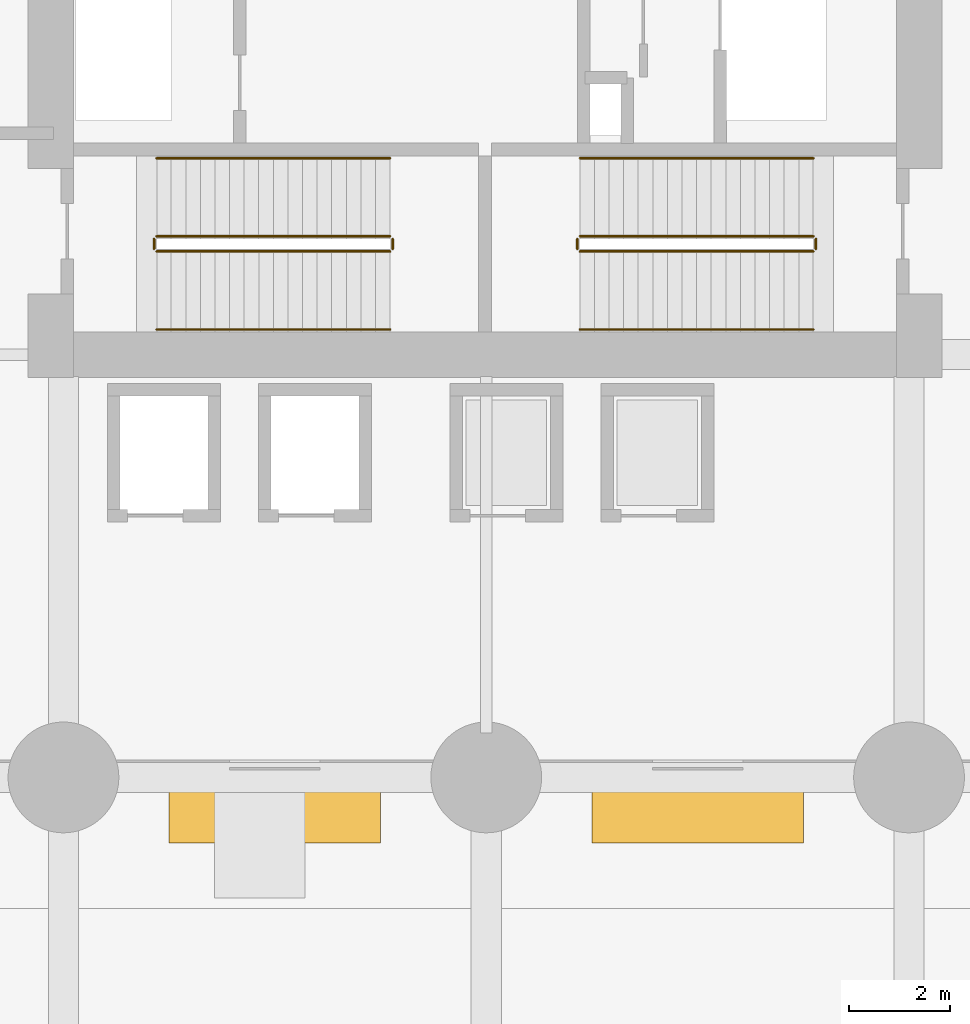
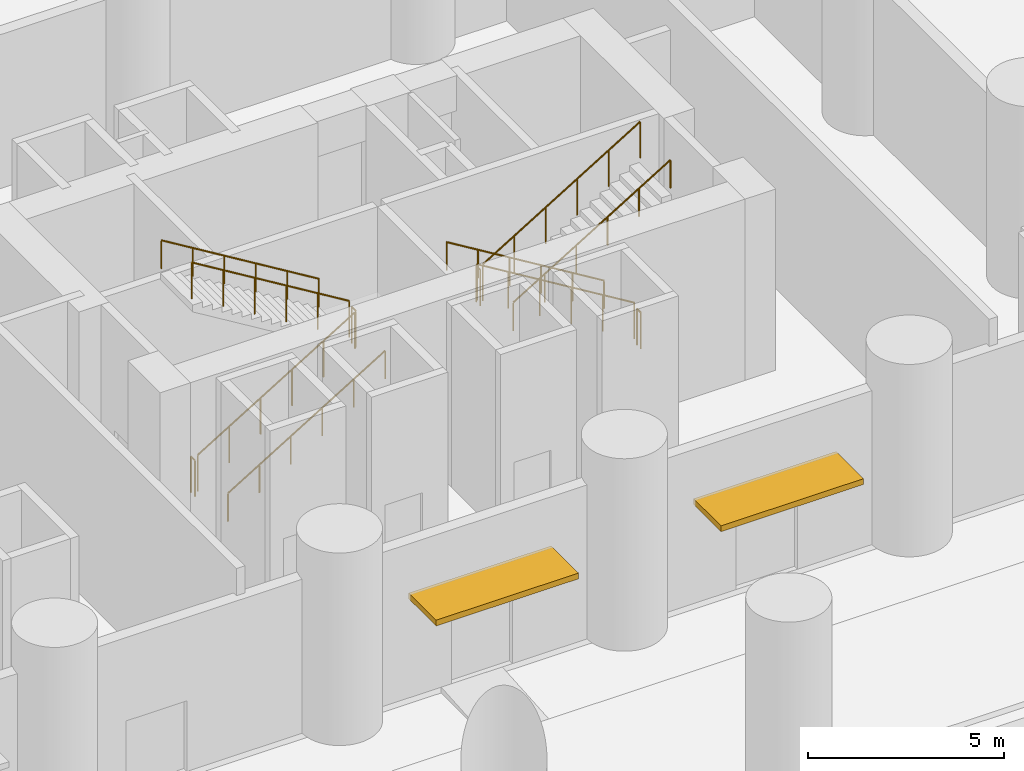
# One storey, part 11 of 13: 12 railings, 2 shading devices.
"""IFC4 building model written with IfcOpenShell, lengths in metres."""

import ifcopenshell
import ifcopenshell.guid

model = None  # the IFC model being written
_history = None  # IfcOwnerHistory: only IFC2X3 demands one
_inside = {}  # id of a spatial element -> (the spatial element, [elements in it])
_under = {}  # id of a project, library or spatial element -> (it, [spatial elements below it])
_declared = {}  # id of a project -> (the project, [libraries it declares])
_typed = {}  # id of a type object -> (the type object, [elements of that type])
_made_of = {}  # id of a material, layer set ... -> (it, [elements and type objects made of it])


def new_model(schema):
    """Start an empty IFC model of exactly this schema.

    Asked for "IFC4X3", IfcOpenShell would pick the latest addendum, in which some entities
    have other attributes; the version numbers below select the first issue.
    IFC2X3 requires an IfcOwnerHistory on every rooted entity: one is made here for all.
    """
    global model, _history
    if schema == "IFC4X3":
        model = ifcopenshell.file(schema_version=(4, 3, 0, 0))
    else:
        model = ifcopenshell.file(schema=schema)
    _inside.clear()
    _under.clear()
    _declared.clear()
    _typed.clear()
    _made_of.clear()
    _history = None
    if model.schema == "IFC2X3":
        org = make("IfcOrganization", Name="unknown")
        user = make(
            "IfcPersonAndOrganization",
            ThePerson=make("IfcPerson", FamilyName="unknown"),
            TheOrganization=org,
        )
        app = make(
            "IfcApplication",
            ApplicationDeveloper=org,
            Version="unknown",
            ApplicationFullName="unknown",
            ApplicationIdentifier="unknown",
        )
        _history = make(
            "IfcOwnerHistory",
            OwningUser=user,
            OwningApplication=app,
            ChangeAction="ADDED",
            CreationDate=0,
        )
    return model


def make(cls, **values):
    """One entity of the class cls with the attributes given. An attribute that is None is left unset."""
    return model.create_entity(
        cls, **{name: value for name, value in values.items() if value is not None}
    )


def rooted(cls, **values):
    """An entity with a GlobalId (a new one), such as an element, a storey or a relation."""
    return make(cls, GlobalId=ifcopenshell.guid.new(), OwnerHistory=_history, **values)


def si_unit(unit_type, name, prefix=None):
    """IfcSIUnit, for example si_unit("LENGTHUNIT", "METRE", prefix="MILLI")."""
    return make("IfcSIUnit", UnitType=unit_type, Prefix=prefix, Name=name)


def assignment(units):
    """IfcUnitAssignment: the units of a project."""
    return None if units is None else make("IfcUnitAssignment", Units=units)


def point(xyz):
    """IfcCartesianPoint."""
    return None if xyz is None else make("IfcCartesianPoint", Coordinates=xyz)


def direction(xyz):
    """IfcDirection."""
    return None if xyz is None else make("IfcDirection", DirectionRatios=xyz)


def frame(location, z_axis=None, x_axis=None):
    """IfcAxis2Placement3D, a coordinate frame: its origin and axes. An axis left out is left unset."""
    return make(
        "IfcAxis2Placement3D",
        Location=point(location),
        Axis=direction(z_axis),
        RefDirection=direction(x_axis),
    )


def frame_2d(location, x_axis=None):
    """IfcAxis2Placement2D, a coordinate frame in the plane: its origin and x axis."""
    return make(
        "IfcAxis2Placement2D", Location=point(location), RefDirection=direction(x_axis)
    )


def origin():
    """The frame at (0, 0, 0) with its axes left unset."""
    return frame((0.0, 0.0, 0.0))


def origin_2d():
    """The frame at (0, 0) in the plane with its x axis left unset."""
    return frame_2d((0.0, 0.0))


def place(relative_to, where):
    """IfcLocalPlacement: puts the frame where relative to a parent placement (None: the world)."""
    return make(
        "IfcLocalPlacement", PlacementRelTo=relative_to, RelativePlacement=where
    )


def context(
    kind, dimensions, precision=None, world=None, true_north=None, identifier=None
):
    """IfcGeometricRepresentationContext, for example the 3D "Model" context."""
    return make(
        "IfcGeometricRepresentationContext",
        ContextIdentifier=identifier,
        ContextType=kind,
        CoordinateSpaceDimension=dimensions,
        Precision=precision,
        WorldCoordinateSystem=world,
        TrueNorth=true_north,
    )


def subcontext(parent, identifier, kind, view, scale=None):
    """IfcGeometricRepresentationSubContext, for example "Body" below "Model"."""
    return make(
        "IfcGeometricRepresentationSubContext",
        ContextIdentifier=identifier,
        ContextType=kind,
        ParentContext=parent,
        TargetScale=scale,
        TargetView=view,
    )


def project(units=None, contexts=None):
    """IfcProject with its units and contexts."""
    return rooted(
        "IfcProject",
        Name="project",
        RepresentationContexts=contexts,
        UnitsInContext=assignment(units),
    )


def spatial(cls, under=None, at=None, **own):
    """A site, building, storey or space (cls), placed at a placement, below another one or the project."""
    s = rooted(cls, ObjectPlacement=at, **own)
    if under is not None:
        _under.setdefault(under.id(), (under, []))[1].append(s)
    return s


def profile(cls, at=None, kind="AREA", **sizes):
    """A parametric profile (cls). Its sizes go by their IFC names, for example OverallWidth=200.0."""
    return make(cls, ProfileType=kind, Position=at, **sizes)


def rectangle(**sizes):
    """IfcRectangleProfileDef."""
    return profile("IfcRectangleProfileDef", **sizes)


def circle(**sizes):
    """IfcCircleProfileDef."""
    return profile("IfcCircleProfileDef", **sizes)


def extrude(swept, where, along, depth):
    """IfcExtrudedAreaSolid: the profile swept, set in the frame where, extruded along a direction by depth."""
    return make(
        "IfcExtrudedAreaSolid",
        SweptArea=swept,
        Position=where,
        ExtrudedDirection=direction(along),
        Depth=depth,
    )


def shape(context_of_items, identifier, shape_type, items):
    """IfcShapeRepresentation: the items that make up one representation, for example the "Body"."""
    return make(
        "IfcShapeRepresentation",
        ContextOfItems=context_of_items,
        RepresentationIdentifier=identifier,
        RepresentationType=shape_type,
        Items=items,
    )


def material(Name=None, Category=None):
    """IfcMaterial."""
    return make("IfcMaterial", Name=Name, Category=Category)


def layer(
    of_material, thickness, ventilated=None, Name=None, Category=None, Priority=None
):
    """IfcMaterialLayer: one layer of a wall or slab, of a material (None: an air gap)."""
    return make(
        "IfcMaterialLayer",
        Material=of_material,
        LayerThickness=thickness,
        IsVentilated=ventilated,
        Name=Name,
        Category=Category,
        Priority=Priority,
    )


def layer_set(layers, Name=None):
    """IfcMaterialLayerSet."""
    return make("IfcMaterialLayerSet", MaterialLayers=layers, LayerSetName=Name)


def made_of(thing, what):
    """Note that an element or type object is made of a material, layer set ...; save() writes the relation."""
    if what is not None:
        _made_of.setdefault(what.id(), (what, []))[1].append(thing)
    return thing


def type_object(cls, material=None, **own):
    """A type object (cls), such as IfcWallType, which elements share."""
    return made_of(rooted(cls, **own), material)


def element(
    cls,
    number,
    at=None,
    inside=None,
    cuts=None,
    type_object=None,
    material=None,
    context=None,
    identifier="Body",
    shape_type=None,
    held_by="IfcProductDefinitionShape",
    body=None,
    shapes=None,
    **own,
):
    """One element of the class cls, such as IfcWall. Its Tag is "e" and its number.

    at: its placement. inside: the storey or other place that contains it. cuts: it is an
    opening in that element (IfcRelVoidsElement). A single representation is given by context,
    identifier, shape_type and body (its items); several are given by shapes. held_by: the class
    of the entity that holds the representations. save() writes the other relations.
    """
    e = rooted(cls, Tag="e%d" % number, ObjectPlacement=at, **own)
    if body is not None:
        shapes = [shape(context, identifier, shape_type, body)]
    if shapes is not None:
        e.Representation = make(held_by, Representations=shapes)
    if inside is not None:
        _inside.setdefault(inside.id(), (inside, []))[1].append(e)
    if cuts is not None:
        rooted(
            "IfcRelVoidsElement", RelatingBuildingElement=cuts, RelatedOpeningElement=e
        )
    if type_object is not None:
        _typed.setdefault(type_object.id(), (type_object, []))[1].append(e)
    return made_of(e, material)


def aggregate(whole, parts):
    """IfcRelAggregates: a whole, such as a stair, and the parts it consists of."""
    return rooted("IfcRelAggregates", RelatingObject=whole, RelatedObjects=parts)


def save(model, path):
    """Write the relations noted so far, then the file.

    IfcRelAggregates (storeys below a building ...), IfcRelContainedInSpatialStructure (elements
    in a storey), IfcRelDefinesByType, IfcRelAssociatesMaterial and IfcRelDeclares: one each for
    every whole, place, type object, material and project.
    """
    for whole, parts in _under.values():
        aggregate(whole, parts)
    for where, things in _inside.values():
        rooted(
            "IfcRelContainedInSpatialStructure",
            RelatedElements=things,
            RelatingStructure=where,
        )
    for kind, things in _typed.values():
        rooted("IfcRelDefinesByType", RelatedObjects=things, RelatingType=kind)
    for what, things in _made_of.values():
        rooted("IfcRelAssociatesMaterial", RelatedObjects=things, RelatingMaterial=what)
    for by, libraries in _declared.values():
        rooted("IfcRelDeclares", RelatingContext=by, RelatedDefinitions=libraries)
    model.write(path)


model = new_model("IFC4")

# Units and contexts
model_context = context("Model", 3, precision=1e-05, world=origin(), true_north=direction((0.0, 1.0)))
body_context = subcontext(model_context, "Body", "Model", "MODEL_VIEW")
ifc_project = project(units=[si_unit("LENGTHUNIT", "METRE"), si_unit("AREAUNIT", "SQUARE_METRE"), si_unit("VOLUMEUNIT", "CUBIC_METRE"), si_unit("PLANEANGLEUNIT", "RADIAN"), si_unit("MASSUNIT", "GRAM", prefix="KILO")], contexts=[model_context])

# Site, building, storey
site_placement = place(None, origin())
site = spatial("IfcSite", under=ifc_project, at=site_placement, CompositionType="ELEMENT")
building_placement = place(site_placement, origin())
building = spatial("IfcBuilding", under=site, at=building_placement, Name="Koriwani Terraces Tower", CompositionType="ELEMENT")
storey_placement = place(building_placement, origin())
storey = spatial("IfcBuildingStorey", under=building, at=storey_placement, Name="L00", CompositionType="ELEMENT", Elevation=0.0)

# Railings
ifc_material_1 = material(Name="Steel ASTM A572 Grade 50", Category="steel")
railing_type_1 = type_object("IfcRailingType", Name="GUARD_STAIR_WELL_1120", PredefinedType="GUARDRAIL", material=ifc_material_1)
railing_1_placement = place(storey_placement, frame((43.85009765625, 18.85009765625, 0.176513671875)))
element("IfcRailing", 1, at=railing_1_placement, inside=storey, type_object=railing_type_1, Name="L00 ST-E1 stair guard 1", PredefinedType="GUARDRAIL", context=body_context, shape_type="SweptSolid", body=[
    extrude(circle(Radius=0.02392578125, at=origin_2d()), frame((0.0, 0.0, 1.1259765625), z_axis=(0.854263648073, 0.0, 0.51983999421), x_axis=(0.0, 1.0, 0.0)), (0.0, 0.0, 1.0), 5.431396484375),
    extrude(circle(Radius=0.02099609375, at=origin_2d()), origin(), (0.0, 0.0, 1.0), 1.101806640625),
    extrude(circle(Radius=0.02099609375, at=origin_2d()), frame((0.927978515625, 0.0, 0.564697265625)), (0.0, 0.0, 1.0), 1.101806640625),
    extrude(circle(Radius=0.02099609375, at=origin_2d()), frame((1.85595703125, 0.0, 1.12939453125)), (0.0, 0.0, 1.0), 1.101806640625),
    extrude(circle(Radius=0.02099609375, at=origin_2d()), frame((2.783935546875, 0.0, 1.694091796875)), (0.0, 0.0, 1.0), 1.101806640625),
    extrude(circle(Radius=0.02099609375, at=origin_2d()), frame((3.7119140625, 0.0, 2.2587890625)), (0.0, 0.0, 1.0), 1.101806640625),
    extrude(circle(Radius=0.02099609375, at=origin_2d()), frame((4.639892578125, 0.0, 2.823486328125)), (0.0, 0.0, 1.0), 1.101806640625),
])
railing_2_placement = place(storey_placement, frame((48.5400390625, 18.89990234375, 3.0)))
element("IfcRailing", 2, at=railing_2_placement, inside=storey, type_object=railing_type_1, Name="L00 ST-E1 stair guard 2", PredefinedType="GUARDRAIL", context=body_context, shape_type="SweptSolid", body=[
    extrude(circle(Radius=0.02392578125, at=origin_2d()), frame((0.0, 0.0, 1.1259765625), z_axis=(0.0, 1.0, 0.0), x_axis=(-1.0, 0.0, 0.0)), (0.0, 0.0, 1.0), 0.2001953125),
    extrude(circle(Radius=0.02099609375, at=origin_2d()), origin(), (0.0, 0.0, 1.0), 1.101806640625),
    extrude(circle(Radius=0.02099609375, at=origin_2d()), frame((0.0, 0.2001953125, 0.0)), (0.0, 0.0, 1.0), 1.101806640625),
])
railing_3_placement = place(storey_placement, frame((48.489990234375, 19.14990234375, 3.176513671875)))
element("IfcRailing", 3, at=railing_3_placement, inside=storey, type_object=railing_type_1, Name="L00 ST-E1 stair guard 3", PredefinedType="GUARDRAIL", context=body_context, shape_type="SweptSolid", body=[
    extrude(circle(Radius=0.02392578125, at=origin_2d()), frame((0.0, 0.0, 1.1259765625), z_axis=(-0.854263648073, 0.0, 0.51983999421), x_axis=(0.0, -1.0, 0.0)), (0.0, 0.0, 1.0), 5.431396484375),
    extrude(circle(Radius=0.02099609375, at=origin_2d()), origin(), (0.0, 0.0, 1.0), 1.101806640625),
    extrude(circle(Radius=0.02099609375, at=origin_2d()), frame((-0.927978515625, 0.0, 0.564697265625)), (0.0, 0.0, 1.0), 1.101806640625),
    extrude(circle(Radius=0.02099609375, at=origin_2d()), frame((-1.85595703125, 0.0, 1.12939453125)), (0.0, 0.0, 1.0), 1.101806640625),
    extrude(circle(Radius=0.02099609375, at=origin_2d()), frame((-2.783935546875, 0.0, 1.694091796875)), (0.0, 0.0, 1.0), 1.101806640625),
    extrude(circle(Radius=0.02099609375, at=origin_2d()), frame((-3.7119140625, 0.0, 2.2587890625)), (0.0, 0.0, 1.0), 1.101806640625),
    extrude(circle(Radius=0.02099609375, at=origin_2d()), frame((-4.639892578125, 0.0, 2.823486328125)), (0.0, 0.0, 1.0), 1.101806640625),
])
railing_4_placement = place(storey_placement, frame((43.800048828125, 18.89990234375, 0.0)))
element("IfcRailing", 4, at=railing_4_placement, inside=storey, type_object=railing_type_1, Name="L00 ST-E1 stair guard 4", PredefinedType="GUARDRAIL", context=body_context, shape_type="SweptSolid", body=[
    extrude(circle(Radius=0.02392578125, at=origin_2d()), frame((0.0, 0.0, 1.1259765625), z_axis=(0.0, 1.0, 0.0), x_axis=(-1.0, 0.0, 0.0)), (0.0, 0.0, 1.0), 0.2001953125),
    extrude(circle(Radius=0.02099609375, at=origin_2d()), origin(), (0.0, 0.0, 1.0), 1.101806640625),
    extrude(circle(Radius=0.02099609375, at=origin_2d()), frame((0.0, 0.2001953125, 0.0)), (0.0, 0.0, 1.0), 1.101806640625),
])
railing_5_placement = place(storey_placement, frame((56.89990234375, 19.14990234375, 0.176513671875)))
element("IfcRailing", 5, at=railing_5_placement, inside=storey, type_object=railing_type_1, Name="L00 ST-E2 stair guard 1", PredefinedType="GUARDRAIL", context=body_context, shape_type="SweptSolid", body=[
    extrude(circle(Radius=0.02392578125, at=origin_2d()), frame((0.0, 0.0, 1.1259765625), z_axis=(-0.854263648073, 0.0, 0.51983999421), x_axis=(0.0, -1.0, 0.0)), (0.0, 0.0, 1.0), 5.431396484375),
    extrude(circle(Radius=0.02099609375, at=origin_2d()), origin(), (0.0, 0.0, 1.0), 1.101806640625),
    extrude(circle(Radius=0.02099609375, at=origin_2d()), frame((-0.927978515625, 0.0, 0.564697265625)), (0.0, 0.0, 1.0), 1.101806640625),
    extrude(circle(Radius=0.02099609375, at=origin_2d()), frame((-1.85595703125, 0.0, 1.12939453125)), (0.0, 0.0, 1.0), 1.101806640625),
    extrude(circle(Radius=0.02099609375, at=origin_2d()), frame((-2.783935546875, 0.0, 1.694091796875)), (0.0, 0.0, 1.0), 1.101806640625),
    extrude(circle(Radius=0.02099609375, at=origin_2d()), frame((-3.7119140625, 0.0, 2.2587890625)), (0.0, 0.0, 1.0), 1.101806640625),
    extrude(circle(Radius=0.02099609375, at=origin_2d()), frame((-4.639892578125, 0.0, 2.823486328125)), (0.0, 0.0, 1.0), 1.101806640625),
])
railing_6_placement = place(storey_placement, frame((52.2099609375, 19.10009765625, 3.0)))
element("IfcRailing", 6, at=railing_6_placement, inside=storey, type_object=railing_type_1, Name="L00 ST-E2 stair guard 2", PredefinedType="GUARDRAIL", context=body_context, shape_type="SweptSolid", body=[
    extrude(circle(Radius=0.02392578125, at=origin_2d()), frame((0.0, 0.0, 1.1259765625), z_axis=(0.0, -1.0, 0.0), x_axis=(1.0, 0.0, 0.0)), (0.0, 0.0, 1.0), 0.2001953125),
    extrude(circle(Radius=0.02099609375, at=origin_2d()), origin(), (0.0, 0.0, 1.0), 1.101806640625),
    extrude(circle(Radius=0.02099609375, at=origin_2d()), frame((0.0, -0.2001953125, 0.0)), (0.0, 0.0, 1.0), 1.101806640625),
])
railing_7_placement = place(storey_placement, frame((52.260009765625, 18.85009765625, 3.176513671875)))
element("IfcRailing", 7, at=railing_7_placement, inside=storey, type_object=railing_type_1, Name="L00 ST-E2 stair guard 3", PredefinedType="GUARDRAIL", context=body_context, shape_type="SweptSolid", body=[
    extrude(circle(Radius=0.02392578125, at=origin_2d()), frame((0.0, 0.0, 1.1259765625), z_axis=(0.854263648073, 0.0, 0.51983999421), x_axis=(0.0, 1.0, 0.0)), (0.0, 0.0, 1.0), 5.431396484375),
    extrude(circle(Radius=0.02099609375, at=origin_2d()), origin(), (0.0, 0.0, 1.0), 1.101806640625),
    extrude(circle(Radius=0.02099609375, at=origin_2d()), frame((0.927978515625, 0.0, 0.564697265625)), (0.0, 0.0, 1.0), 1.101806640625),
    extrude(circle(Radius=0.02099609375, at=origin_2d()), frame((1.85595703125, 0.0, 1.12939453125)), (0.0, 0.0, 1.0), 1.101806640625),
    extrude(circle(Radius=0.02099609375, at=origin_2d()), frame((2.783935546875, 0.0, 1.694091796875)), (0.0, 0.0, 1.0), 1.101806640625),
    extrude(circle(Radius=0.02099609375, at=origin_2d()), frame((3.7119140625, 0.0, 2.2587890625)), (0.0, 0.0, 1.0), 1.101806640625),
    extrude(circle(Radius=0.02099609375, at=origin_2d()), frame((4.639892578125, 0.0, 2.823486328125)), (0.0, 0.0, 1.0), 1.101806640625),
])
railing_8_placement = place(storey_placement, frame((56.949951171875, 19.10009765625, 0.0)))
element("IfcRailing", 8, at=railing_8_placement, inside=storey, type_object=railing_type_1, Name="L00 ST-E2 stair guard 4", PredefinedType="GUARDRAIL", context=body_context, shape_type="SweptSolid", body=[
    extrude(circle(Radius=0.02392578125, at=origin_2d()), frame((0.0, 0.0, 1.1259765625), z_axis=(0.0, -1.0, 0.0), x_axis=(1.0, 0.0, 0.0)), (0.0, 0.0, 1.0), 0.2001953125),
    extrude(circle(Radius=0.02099609375, at=origin_2d()), origin(), (0.0, 0.0, 1.0), 1.101806640625),
    extrude(circle(Radius=0.02099609375, at=origin_2d()), frame((0.0, -0.2001953125, 0.0)), (0.0, 0.0, 1.0), 1.101806640625),
])
railing_type_2 = type_object("IfcRailingType", Name="HANDRAIL_STAIR_920", PredefinedType="HANDRAIL", material=ifc_material_1)
railing_9_placement = place(storey_placement, frame((43.85009765625, 17.300048828125, 0.176513671875)))
element("IfcRailing", 9, at=railing_9_placement, inside=storey, type_object=railing_type_2, Name="L00 ST-E1 stair handrail 1", PredefinedType="HANDRAIL", context=body_context, shape_type="SweptSolid", body=[
    extrude(circle(Radius=0.02392578125, at=origin_2d()), frame((0.0, 0.0, 0.8759765625), z_axis=(0.854263648073, 0.0, 0.51983999421), x_axis=(0.0, 1.0, 0.0)), (0.0, 0.0, 1.0), 5.431396484375),
    extrude(circle(Radius=0.02099609375, at=origin_2d()), origin(), (0.0, 0.0, 1.0), 0.851806640625),
    extrude(circle(Radius=0.02099609375, at=origin_2d()), frame((0.927978515625, 0.0, 0.564697265625)), (0.0, 0.0, 1.0), 0.851806640625),
    extrude(circle(Radius=0.02099609375, at=origin_2d()), frame((1.85595703125, 0.0, 1.12939453125)), (0.0, 0.0, 1.0), 0.851806640625),
    extrude(circle(Radius=0.02099609375, at=origin_2d()), frame((2.783935546875, 0.0, 1.694091796875)), (0.0, 0.0, 1.0), 0.851806640625),
    extrude(circle(Radius=0.02099609375, at=origin_2d()), frame((3.7119140625, 0.0, 2.2587890625)), (0.0, 0.0, 1.0), 0.851806640625),
    extrude(circle(Radius=0.02099609375, at=origin_2d()), frame((4.639892578125, 0.0, 2.823486328125)), (0.0, 0.0, 1.0), 0.851806640625),
])
for number, where, name in (
    (10, (48.489990234375, 20.699951171875, 3.176513671875), "L00 ST-E1 stair handrail 2"),
    (11, (56.89990234375, 20.699951171875, 0.176513671875), "L00 ST-E2 stair handrail 1"),
):
    element("IfcRailing", number, at=place(storey_placement, frame(where)), inside=storey, type_object=railing_type_2, Name=name, PredefinedType="HANDRAIL", context=body_context, shape_type="SweptSolid", body=[
        extrude(circle(Radius=0.02392578125, at=origin_2d()), frame((0.0, 0.0, 0.8759765625), z_axis=(-0.854263648073, 0.0, 0.51983999421), x_axis=(0.0, -1.0, 0.0)), (0.0, 0.0, 1.0), 5.431396484375),
        extrude(circle(Radius=0.02099609375, at=origin_2d()), origin(), (0.0, 0.0, 1.0), 0.851806640625),
        extrude(circle(Radius=0.02099609375, at=origin_2d()), frame((-0.927978515625, 0.0, 0.564697265625)), (0.0, 0.0, 1.0), 0.851806640625),
        extrude(circle(Radius=0.02099609375, at=origin_2d()), frame((-1.85595703125, 0.0, 1.12939453125)), (0.0, 0.0, 1.0), 0.851806640625),
        extrude(circle(Radius=0.02099609375, at=origin_2d()), frame((-2.783935546875, 0.0, 1.694091796875)), (0.0, 0.0, 1.0), 0.851806640625),
        extrude(circle(Radius=0.02099609375, at=origin_2d()), frame((-3.7119140625, 0.0, 2.2587890625)), (0.0, 0.0, 1.0), 0.851806640625),
        extrude(circle(Radius=0.02099609375, at=origin_2d()), frame((-4.639892578125, 0.0, 2.823486328125)), (0.0, 0.0, 1.0), 0.851806640625),
    ])
railing_10_placement = place(storey_placement, frame((52.260009765625, 17.300048828125, 3.176513671875)))
element("IfcRailing", 12, at=railing_10_placement, inside=storey, type_object=railing_type_2, Name="L00 ST-E2 stair handrail 2", PredefinedType="HANDRAIL", context=body_context, shape_type="SweptSolid", body=[
    extrude(circle(Radius=0.02392578125, at=origin_2d()), frame((0.0, 0.0, 0.8759765625), z_axis=(0.854263648073, 0.0, 0.51983999421), x_axis=(0.0, 1.0, 0.0)), (0.0, 0.0, 1.0), 5.431396484375),
    extrude(circle(Radius=0.02099609375, at=origin_2d()), origin(), (0.0, 0.0, 1.0), 0.851806640625),
    extrude(circle(Radius=0.02099609375, at=origin_2d()), frame((0.927978515625, 0.0, 0.564697265625)), (0.0, 0.0, 1.0), 0.851806640625),
    extrude(circle(Radius=0.02099609375, at=origin_2d()), frame((1.85595703125, 0.0, 1.12939453125)), (0.0, 0.0, 1.0), 0.851806640625),
    extrude(circle(Radius=0.02099609375, at=origin_2d()), frame((2.783935546875, 0.0, 1.694091796875)), (0.0, 0.0, 1.0), 0.851806640625),
    extrude(circle(Radius=0.02099609375, at=origin_2d()), frame((3.7119140625, 0.0, 2.2587890625)), (0.0, 0.0, 1.0), 0.851806640625),
    extrude(circle(Radius=0.02099609375, at=origin_2d()), frame((4.639892578125, 0.0, 2.823486328125)), (0.0, 0.0, 1.0), 0.851806640625),
])

# Shading devices
ifc_material_2 = material(Name="Anodised Bronze Aluminium", Category="aluminium")
ifc_layer = layer(ifc_material_2, 0.179931640625, Name="Anodised Bronze Aluminium")
ifc_layer_set = layer_set([ifc_layer], Name="Anodised Bronze Aluminium")
shading_device_type = type_object("IfcShadingDeviceType", Name="SOLAR_SUNSHADE_CANOPY_1400", PredefinedType="AWNING", material=ifc_layer_set)
for number, where, z_axis, x_axis, name in (
    (13, (46.199951171875, 7.800048828125, 3.01025390625), (0.0, 0.0, 1.0), (1.0, 0.0, 0.0), "L00 South Plaza Entrance Solar Canopy 3"),
    (14, (54.60009765625, 7.800048828125, 3.01025390625), (0.0, 0.0, 1.0), (1.0, 0.0, 0.0), "L00 South Plaza Entrance Solar Canopy 4"),
):
    element("IfcShadingDevice", number, at=place(storey_placement, frame(where, z_axis=z_axis, x_axis=x_axis)), inside=storey, type_object=shading_device_type, Name=name, PredefinedType="AWNING", context=body_context, shape_type="SweptSolid", body=[
        extrude(rectangle(XDim=4.199951171875, YDim=1.39990234375, at=origin_2d()), origin(), (0.0, 0.0, 1.0), 0.179931640625),
    ])

save(model, "model.ifc")
